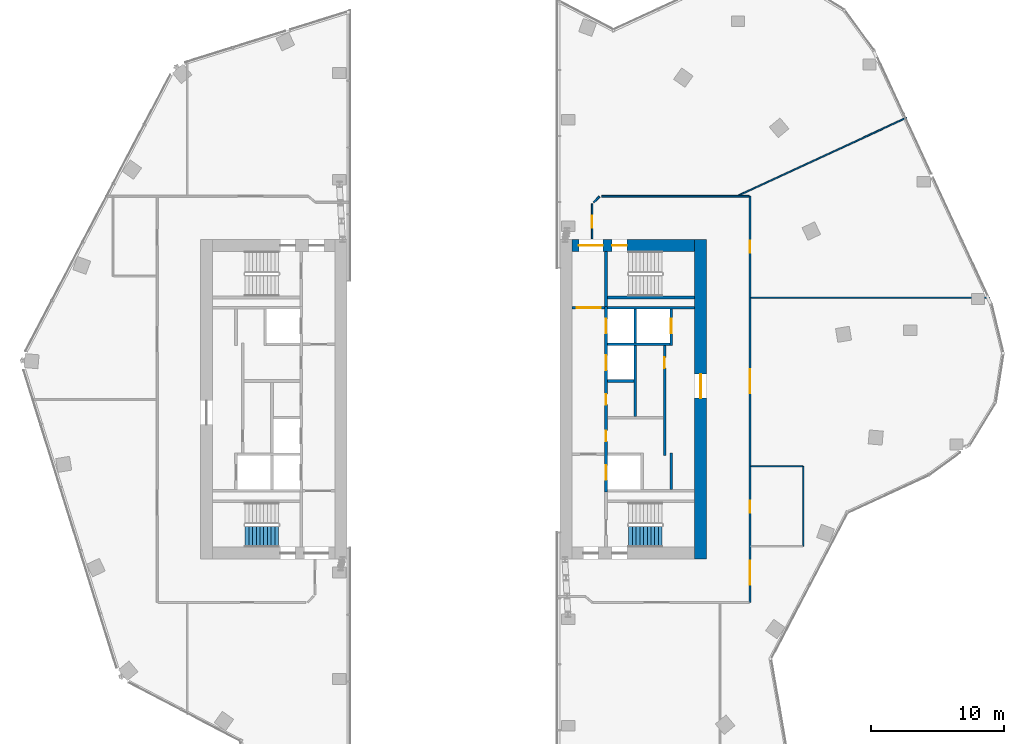
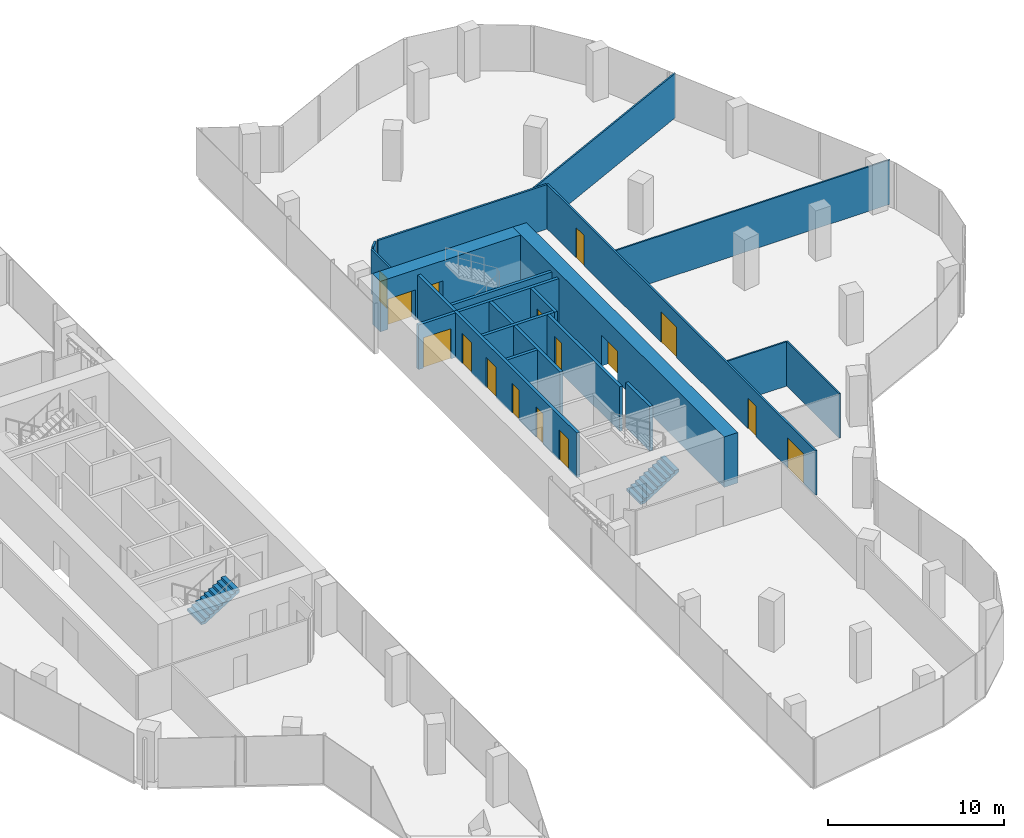
# One storey, part 20 of 23: 22 walls, 16 doors, 2 stair flights, 16 openings, 2 elements without a shape of their own.
"""IFC4 building model written with IfcOpenShell, lengths in metres."""

import ifcopenshell
import ifcopenshell.guid

model = None  # the IFC model being written
_history = None  # IfcOwnerHistory: only IFC2X3 demands one
_inside = {}  # id of a spatial element -> (the spatial element, [elements in it])
_under = {}  # id of a project, library or spatial element -> (it, [spatial elements below it])
_declared = {}  # id of a project -> (the project, [libraries it declares])
_typed = {}  # id of a type object -> (the type object, [elements of that type])
_made_of = {}  # id of a material, layer set ... -> (it, [elements and type objects made of it])


def new_model(schema):
    """Start an empty IFC model of exactly this schema.

    Asked for "IFC4X3", IfcOpenShell would pick the latest addendum, in which some entities
    have other attributes; the version numbers below select the first issue.
    IFC2X3 requires an IfcOwnerHistory on every rooted entity: one is made here for all.
    """
    global model, _history
    if schema == "IFC4X3":
        model = ifcopenshell.file(schema_version=(4, 3, 0, 0))
    else:
        model = ifcopenshell.file(schema=schema)
    _inside.clear()
    _under.clear()
    _declared.clear()
    _typed.clear()
    _made_of.clear()
    _history = None
    if model.schema == "IFC2X3":
        org = make("IfcOrganization", Name="unknown")
        user = make(
            "IfcPersonAndOrganization",
            ThePerson=make("IfcPerson", FamilyName="unknown"),
            TheOrganization=org,
        )
        app = make(
            "IfcApplication",
            ApplicationDeveloper=org,
            Version="unknown",
            ApplicationFullName="unknown",
            ApplicationIdentifier="unknown",
        )
        _history = make(
            "IfcOwnerHistory",
            OwningUser=user,
            OwningApplication=app,
            ChangeAction="ADDED",
            CreationDate=0,
        )
    return model


def make(cls, **values):
    """One entity of the class cls with the attributes given. An attribute that is None is left unset."""
    return model.create_entity(
        cls, **{name: value for name, value in values.items() if value is not None}
    )


def rooted(cls, **values):
    """An entity with a GlobalId (a new one), such as an element, a storey or a relation."""
    return make(cls, GlobalId=ifcopenshell.guid.new(), OwnerHistory=_history, **values)


def si_unit(unit_type, name, prefix=None):
    """IfcSIUnit, for example si_unit("LENGTHUNIT", "METRE", prefix="MILLI")."""
    return make("IfcSIUnit", UnitType=unit_type, Prefix=prefix, Name=name)


def assignment(units):
    """IfcUnitAssignment: the units of a project."""
    return None if units is None else make("IfcUnitAssignment", Units=units)


def point(xyz):
    """IfcCartesianPoint."""
    return None if xyz is None else make("IfcCartesianPoint", Coordinates=xyz)


def direction(xyz):
    """IfcDirection."""
    return None if xyz is None else make("IfcDirection", DirectionRatios=xyz)


def frame(location, z_axis=None, x_axis=None):
    """IfcAxis2Placement3D, a coordinate frame: its origin and axes. An axis left out is left unset."""
    return make(
        "IfcAxis2Placement3D",
        Location=point(location),
        Axis=direction(z_axis),
        RefDirection=direction(x_axis),
    )


def frame_2d(location, x_axis=None):
    """IfcAxis2Placement2D, a coordinate frame in the plane: its origin and x axis."""
    return make(
        "IfcAxis2Placement2D", Location=point(location), RefDirection=direction(x_axis)
    )


def origin():
    """The frame at (0, 0, 0) with its axes left unset."""
    return frame((0.0, 0.0, 0.0))


def place(relative_to, where):
    """IfcLocalPlacement: puts the frame where relative to a parent placement (None: the world)."""
    return make(
        "IfcLocalPlacement", PlacementRelTo=relative_to, RelativePlacement=where
    )


def context(
    kind, dimensions, precision=None, world=None, true_north=None, identifier=None
):
    """IfcGeometricRepresentationContext, for example the 3D "Model" context."""
    return make(
        "IfcGeometricRepresentationContext",
        ContextIdentifier=identifier,
        ContextType=kind,
        CoordinateSpaceDimension=dimensions,
        Precision=precision,
        WorldCoordinateSystem=world,
        TrueNorth=true_north,
    )


def subcontext(parent, identifier, kind, view, scale=None):
    """IfcGeometricRepresentationSubContext, for example "Body" below "Model"."""
    return make(
        "IfcGeometricRepresentationSubContext",
        ContextIdentifier=identifier,
        ContextType=kind,
        ParentContext=parent,
        TargetScale=scale,
        TargetView=view,
    )


def project(units=None, contexts=None):
    """IfcProject with its units and contexts."""
    return rooted(
        "IfcProject",
        Name="project",
        RepresentationContexts=contexts,
        UnitsInContext=assignment(units),
    )


def spatial(cls, under=None, at=None, **own):
    """A site, building, storey or space (cls), placed at a placement, below another one or the project."""
    s = rooted(cls, ObjectPlacement=at, **own)
    if under is not None:
        _under.setdefault(under.id(), (under, []))[1].append(s)
    return s


def polyline(points):
    """IfcPolyline through the points."""
    return make("IfcPolyline", Points=[point(p) for p in points])


def profile(cls, at=None, kind="AREA", **sizes):
    """A parametric profile (cls). Its sizes go by their IFC names, for example OverallWidth=200.0."""
    return make(cls, ProfileType=kind, Position=at, **sizes)


def rectangle(**sizes):
    """IfcRectangleProfileDef."""
    return profile("IfcRectangleProfileDef", **sizes)


def outline(outer, holes=None, kind="AREA"):
    """IfcArbitraryClosedProfileDef: a profile drawn as a closed curve; with holes, ...WithVoids."""
    if holes is None:
        return make("IfcArbitraryClosedProfileDef", ProfileType=kind, OuterCurve=outer)
    return make(
        "IfcArbitraryProfileDefWithVoids",
        ProfileType=kind,
        OuterCurve=outer,
        InnerCurves=holes,
    )


def extrude(swept, where, along, depth):
    """IfcExtrudedAreaSolid: the profile swept, set in the frame where, extruded along a direction by depth."""
    return make(
        "IfcExtrudedAreaSolid",
        SweptArea=swept,
        Position=where,
        ExtrudedDirection=direction(along),
        Depth=depth,
    )


def shape(context_of_items, identifier, shape_type, items):
    """IfcShapeRepresentation: the items that make up one representation, for example the "Body"."""
    return make(
        "IfcShapeRepresentation",
        ContextOfItems=context_of_items,
        RepresentationIdentifier=identifier,
        RepresentationType=shape_type,
        Items=items,
    )


def material(Name=None, Category=None):
    """IfcMaterial."""
    return make("IfcMaterial", Name=Name, Category=Category)


def layer(
    of_material, thickness, ventilated=None, Name=None, Category=None, Priority=None
):
    """IfcMaterialLayer: one layer of a wall or slab, of a material (None: an air gap)."""
    return make(
        "IfcMaterialLayer",
        Material=of_material,
        LayerThickness=thickness,
        IsVentilated=ventilated,
        Name=Name,
        Category=Category,
        Priority=Priority,
    )


def layer_set(layers, Name=None):
    """IfcMaterialLayerSet."""
    return make("IfcMaterialLayerSet", MaterialLayers=layers, LayerSetName=Name)


def made_of(thing, what):
    """Note that an element or type object is made of a material, layer set ...; save() writes the relation."""
    if what is not None:
        _made_of.setdefault(what.id(), (what, []))[1].append(thing)
    return thing


def type_object(cls, material=None, **own):
    """A type object (cls), such as IfcWallType, which elements share."""
    return made_of(rooted(cls, **own), material)


def element(
    cls,
    number,
    at=None,
    inside=None,
    cuts=None,
    type_object=None,
    material=None,
    context=None,
    identifier="Body",
    shape_type=None,
    held_by="IfcProductDefinitionShape",
    body=None,
    shapes=None,
    **own,
):
    """One element of the class cls, such as IfcWall. Its Tag is "e" and its number.

    at: its placement. inside: the storey or other place that contains it. cuts: it is an
    opening in that element (IfcRelVoidsElement). A single representation is given by context,
    identifier, shape_type and body (its items); several are given by shapes. held_by: the class
    of the entity that holds the representations. save() writes the other relations.
    """
    e = rooted(cls, Tag="e%d" % number, ObjectPlacement=at, **own)
    if body is not None:
        shapes = [shape(context, identifier, shape_type, body)]
    if shapes is not None:
        e.Representation = make(held_by, Representations=shapes)
    if inside is not None:
        _inside.setdefault(inside.id(), (inside, []))[1].append(e)
    if cuts is not None:
        rooted(
            "IfcRelVoidsElement", RelatingBuildingElement=cuts, RelatedOpeningElement=e
        )
    if type_object is not None:
        _typed.setdefault(type_object.id(), (type_object, []))[1].append(e)
    return made_of(e, material)


def fill(opening, filler):
    """IfcRelFillsElement: the door or window that sits in an opening."""
    return rooted(
        "IfcRelFillsElement",
        RelatingOpeningElement=opening,
        RelatedBuildingElement=filler,
    )


def aggregate(whole, parts):
    """IfcRelAggregates: a whole, such as a stair, and the parts it consists of."""
    return rooted("IfcRelAggregates", RelatingObject=whole, RelatedObjects=parts)


def save(model, path):
    """Write the relations noted so far, then the file.

    IfcRelAggregates (storeys below a building ...), IfcRelContainedInSpatialStructure (elements
    in a storey), IfcRelDefinesByType, IfcRelAssociatesMaterial and IfcRelDeclares: one each for
    every whole, place, type object, material and project.
    """
    for whole, parts in _under.values():
        aggregate(whole, parts)
    for where, things in _inside.values():
        rooted(
            "IfcRelContainedInSpatialStructure",
            RelatedElements=things,
            RelatingStructure=where,
        )
    for kind, things in _typed.values():
        rooted("IfcRelDefinesByType", RelatedObjects=things, RelatingType=kind)
    for what, things in _made_of.values():
        rooted("IfcRelAssociatesMaterial", RelatedObjects=things, RelatingMaterial=what)
    for by, libraries in _declared.values():
        rooted("IfcRelDeclares", RelatingContext=by, RelatedDefinitions=libraries)
    model.write(path)


model = new_model("IFC4")

# Units and contexts
model_context = context("Model", 3, precision=1e-05, world=origin(), true_north=direction((0.0, 1.0)))
body_context = subcontext(model_context, "Body", "Model", "MODEL_VIEW")
ifc_project = project(units=[si_unit("LENGTHUNIT", "METRE"), si_unit("AREAUNIT", "SQUARE_METRE"), si_unit("VOLUMEUNIT", "CUBIC_METRE"), si_unit("PLANEANGLEUNIT", "RADIAN"), si_unit("MASSUNIT", "GRAM", prefix="KILO")], contexts=[model_context])

# Site, building, storey
site_placement = place(None, origin())
site = spatial("IfcSite", under=ifc_project, at=site_placement, CompositionType="ELEMENT")
building_placement = place(site_placement, origin())
building = spatial("IfcBuilding", under=site, at=building_placement, Name="Orlundy Tower", CompositionType="ELEMENT")
storey_placement = place(building_placement, frame((0.0, 0.0, 264.0)))
storey = spatial("IfcBuildingStorey", under=building, at=storey_placement, Name="L70", CompositionType="ELEMENT", Elevation=264.0)

# Wall, openings, doors
ifc_material_1 = material(Name="Concrete C60/75", Category="concrete")
ifc_layer_1 = layer(ifc_material_1, 0.89990234375)
ifc_layer_set_1 = layer_set([ifc_layer_1], Name="CORE WALL 900 C60/75")
wall_type_1 = type_object("IfcWallType", Name="CORE WALL 900 C60/75", PredefinedType="SHEAR", material=ifc_layer_set_1)
wall_1_placement = place(storey_placement, frame((8.89990234375, 11.550048828125, 0.0), z_axis=(0.0, 0.0, 1.0), x_axis=(1.0, 0.0, 0.0)))
wall_1 = element("IfcWall", 1, at=wall_1_placement, inside=storey, type_object=wall_type_1, Name="Core wall E-N L70", PredefinedType="SHEAR", context=body_context, shape_type="SweptSolid", body=[
    extrude(rectangle(XDim=9.2001953125, YDim=0.89990234375, at=frame_2d((4.60009765625, 0.0))), origin(), (0.0, 0.0, 1.0), 3.5),
])
opening_1_placement = place(wall_1_placement, frame((0.5, 0.0, 0.0)))
opening_1 = element("IfcOpeningElement", 2, at=opening_1_placement, cuts=wall_1, Name="Opening 52061", PredefinedType="OPENING", context=body_context, shape_type="SweptSolid", body=[
    extrude(rectangle(XDim=1.800048828125, YDim=2.10009765625, at=frame_2d((0.89990234375, 1.050048828125))), frame((0.0, 0.4599609375, 0.0), z_axis=(0.0, -1.0, 0.0), x_axis=(1.0, 0.0, 0.0)), (0.0, 0.0, 1.0), 0.919921875),
])
opening_2_placement = place(wall_1_placement, frame((3.0, 0.0, 0.0)))
opening_2 = element("IfcOpeningElement", 3, at=opening_2_placement, cuts=wall_1, Name="Opening 52063", PredefinedType="OPENING", context=body_context, shape_type="SweptSolid", body=[
    extrude(rectangle(XDim=1.10009765625, YDim=2.10009765625, at=frame_2d((0.550048828125, 1.050048828125))), frame((0.0, 0.4599609375, 0.0), z_axis=(0.0, -1.0, 0.0), x_axis=(1.0, 0.0, 0.0)), (0.0, 0.0, 1.0), 0.919921875),
])
ifc_material_2 = material(Name="Timber door set", Category="wood")
door_type_1 = type_object("IfcDoorType", Name="Lobby Door 1800x2100", OperationType="DOUBLE_DOOR_DOUBLE_SWING", PredefinedType="DOOR", material=ifc_material_2)
door_1_placement = place(opening_1_placement, origin())
door_1 = element("IfcDoor", 4, at=door_1_placement, inside=storey, type_object=door_type_1, Name="Passage door 52061", OperationType="SINGLE_SWING_LEFT", OverallHeight=2.10009765625, OverallWidth=1.800048828125, PredefinedType="DOOR", context=body_context, shape_type="SweptSolid", body=[
    extrude(rectangle(XDim=1.800048828125, YDim=2.10009765625, at=frame_2d((0.89990234375, 1.050048828125))), frame((0.0, 0.02490234375, 0.0), z_axis=(0.0, -1.0, 0.0), x_axis=(1.0, 0.0, 0.0)), (0.0, 0.0, 1.0), 0.050048828125),
])
fill(opening_1, door_1)
ifc_material_3 = material(Name="Steel door set", Category="steel")
door_type_2 = type_object("IfcDoorType", Name="Stair Door 1100x2100", OperationType="SINGLE_SWING_LEFT", PredefinedType="DOOR", material=ifc_material_3)
door_2_placement = place(opening_2_placement, origin())
door_2 = element("IfcDoor", 5, at=door_2_placement, inside=storey, type_object=door_type_2, Name="Stair door 52063", OperationType="SINGLE_SWING_LEFT", OverallHeight=2.10009765625, OverallWidth=1.10009765625, PredefinedType="DOOR", context=body_context, shape_type="SweptSolid", body=[
    extrude(rectangle(XDim=1.10009765625, YDim=2.10009765625, at=frame_2d((0.550048828125, 1.050048828125))), frame((0.0, 0.02490234375, 0.0), z_axis=(0.0, -1.0, 0.0), x_axis=(1.0, 0.0, 0.0)), (0.0, 0.0, 1.0), 0.050048828125),
])
fill(opening_2, door_2)

# Wall, opening, door
wall_2_placement = place(storey_placement, frame((18.550048828125, -12.0, 0.0), z_axis=(0.0, 0.0, 1.0), x_axis=(0.0, 1.0, 0.0)))
wall_2 = element("IfcWall", 6, at=wall_2_placement, inside=storey, type_object=wall_type_1, Name="Core wall E-E L70", PredefinedType="SHEAR", context=body_context, shape_type="SweptSolid", body=[
    extrude(rectangle(XDim=24.0, YDim=0.89990234375, at=frame_2d((12.0, 0.0))), origin(), (0.0, 0.0, 1.0), 3.5),
])
opening_3_placement = place(wall_2_placement, frame((12.10009765625, 0.0, 0.0)))
opening_3 = element("IfcOpeningElement", 7, at=opening_3_placement, cuts=wall_2, Name="Opening 52057", PredefinedType="OPENING", context=body_context, shape_type="SweptSolid", body=[
    extrude(rectangle(XDim=1.800048828125, YDim=2.10009765625, at=frame_2d((0.89990234375, 1.050048828125))), frame((0.0, 0.4599609375, 0.0), z_axis=(0.0, -1.0, 0.0), x_axis=(1.0, 0.0, 0.0)), (0.0, 0.0, 1.0), 0.919921875),
])
door_3_placement = place(opening_3_placement, origin())
door_3 = element("IfcDoor", 8, at=door_3_placement, inside=storey, type_object=door_type_1, Name="Lift lobby door 52057", OperationType="SINGLE_SWING_RIGHT", OverallHeight=2.10009765625, OverallWidth=1.800048828125, PredefinedType="DOOR", context=body_context, shape_type="SweptSolid", body=[
    extrude(rectangle(XDim=1.800048828125, YDim=2.10009765625, at=frame_2d((0.89990234375, 1.050048828125))), frame((0.0, 0.02490234375, 0.0), z_axis=(0.0, -1.0, 0.0), x_axis=(1.0, 0.0, 0.0)), (0.0, 0.0, 1.0), 0.050048828125),
])
fill(opening_3, door_3)

# Walls
ifc_material_4 = material(Name="Gypsum board partition")
ifc_layer_2 = layer(ifc_material_4, 0.10009765625)
ifc_layer_set_2 = layer_set([ifc_layer_2], Name="Floor partition 100")
wall_type_2 = type_object("IfcWallType", Name="Floor partition 100", PredefinedType="PARTITIONING", material=ifc_layer_set_2)
wall_3_placement = place(storey_placement, frame((22.31396484375, -5.029052734375, 0.0), z_axis=(0.0, 0.0, 1.0), x_axis=(1.0, 0.0, 0.0)))
element("IfcWall", 9, at=wall_3_placement, inside=storey, type_object=wall_type_2, Name="wall-int-L70-005", PredefinedType="PARTITIONING", context=body_context, shape_type="SweptSolid", body=[
    extrude(rectangle(XDim=3.885009765625, YDim=0.10009765625, at=frame_2d((1.9423828125, 0.0))), origin(), (0.0, 0.0, 1.0), 3.080078125),
])
wall_4_placement = place(storey_placement, frame((22.31396484375, 7.6240234375, 0.0), z_axis=(0.0, 0.0, 1.0), x_axis=(1.0, 0.0, 0.0)))
element("IfcWall", 10, at=wall_4_placement, inside=storey, type_object=wall_type_2, Name="wall-int-L70-007", PredefinedType="PARTITIONING", context=body_context, shape_type="SweptSolid", body=[
    extrude(rectangle(XDim=17.95703125, YDim=0.10009765625, at=frame_2d((8.978515625, 0.0))), origin(), (0.0, 0.0, 1.0), 3.080078125),
])
wall_5_placement = place(storey_placement, frame((21.325927734375, 15.277099609375, 0.0), z_axis=(0.0, 0.0, 1.0), x_axis=(0.907542351842, 0.419960569117, 0.0)))
element("IfcWall", 11, at=wall_5_placement, inside=storey, type_object=wall_type_2, Name="wall-int-L70-012", PredefinedType="PARTITIONING", context=body_context, shape_type="SweptSolid", body=[
    extrude(rectangle(XDim=13.9794921875, YDim=0.10009765625, at=frame_2d((6.98974609375, 0.0))), origin(), (0.0, 0.0, 1.0), 3.080078125),
])
wall_6_placement = place(storey_placement, frame((26.2490234375, -11.030029296875, 0.0), z_axis=(0.0, 0.0, 1.0), x_axis=(0.0, 1.0, 0.0)))
element("IfcWall", 12, at=wall_6_placement, inside=storey, type_object=wall_type_2, Name="wall-int-L70-015", PredefinedType="PARTITIONING", context=body_context, shape_type="SweptSolid", body=[
    extrude(rectangle(XDim=6.0009765625, YDim=0.10009765625, at=frame_2d((3.00048828125, 0.0))), origin(), (0.0, 0.0, 1.0), 3.080078125),
])
ifc_material_5 = material(Name="Gypsum board partition, double layer")
ifc_layer_3 = layer(ifc_material_5, 0.125)
ifc_layer_set_3 = layer_set([ifc_layer_3], Name="Floor partition 125")
wall_type_3 = type_object("IfcWallType", Name="Floor partition 125", PredefinedType="PARTITIONING", material=ifc_layer_set_3)
wall_7_placement = place(storey_placement, frame((11.10693359375, 15.2509765625, 0.0), z_axis=(0.0, 0.0, 1.0), x_axis=(1.0, 0.0, 0.0)))
element("IfcWall", 13, at=wall_7_placement, inside=storey, type_object=wall_type_3, Name="wall-int-L70-011", PredefinedType="PARTITIONING", context=body_context, shape_type="SweptSolid", body=[
    extrude(rectangle(XDim=11.0810546875, YDim=0.125, at=frame_2d((5.54052734375, 0.0))), origin(), (0.0, 0.0, 1.0), 3.080078125),
])
wall_8_placement = place(storey_placement, frame((10.52099609375, 14.7890625, 0.0), z_axis=(0.0, 0.0, 1.0), x_axis=(0.698110320765, 0.715990209459, 0.0)))
element("IfcWall", 14, at=wall_8_placement, inside=storey, type_object=wall_type_3, Name="wall-int-L70-014", PredefinedType="PARTITIONING", context=body_context, shape_type="SweptSolid", body=[
    extrude(rectangle(XDim=0.614501953125, YDim=0.125, at=frame_2d((0.30712890625, 0.0))), origin(), (0.0, 0.0, 1.0), 3.080078125),
])

# Wall, openings, doors
wall_9_placement = place(storey_placement, frame((22.2509765625, 15.25, 0.0), z_axis=(0.0, 0.0, 1.0), x_axis=(0.0, -1.0, 0.0)))
wall_9 = element("IfcWall", 15, at=wall_9_placement, inside=storey, type_object=wall_type_3, Name="wall-int-L70-016", PredefinedType="PARTITIONING", context=body_context, shape_type="SweptSolid", body=[
    extrude(rectangle(XDim=30.5, YDim=0.125, at=frame_2d((15.25, 0.0))), origin(), (0.0, 0.0, 1.0), 3.080078125),
])
opening_4_placement = place(wall_9_placement, frame((27.3798828125, 0.0, 0.0)))
opening_4 = element("IfcOpeningElement", 16, at=opening_4_placement, cuts=wall_9, Name="Opening 52104", PredefinedType="OPENING", context=body_context, shape_type="SweptSolid", body=[
    extrude(rectangle(XDim=1.800048828125, YDim=2.10009765625, at=frame_2d((0.89990234375, 1.050048828125))), frame((0.0, 0.072509765625, 0.0), z_axis=(0.0, -1.0, 0.0), x_axis=(1.0, 0.0, 0.0)), (0.0, 0.0, 1.0), 0.14501953125),
])
opening_5_placement = place(wall_9_placement, frame((12.97607421875, 0.0, 0.0)))
opening_5 = element("IfcOpeningElement", 17, at=opening_5_placement, cuts=wall_9, Name="Opening 52105", PredefinedType="OPENING", context=body_context, shape_type="SweptSolid", body=[
    extrude(rectangle(XDim=1.800048828125, YDim=2.10009765625, at=frame_2d((0.89990234375, 1.050048828125))), frame((0.0, 0.072509765625, 0.0), z_axis=(0.0, -1.0, 0.0), x_axis=(1.0, 0.0, 0.0)), (0.0, 0.0, 1.0), 0.14501953125),
])
opening_6_placement = place(wall_9_placement, frame((3.35009765625, 0.0, 0.0)))
opening_6 = element("IfcOpeningElement", 18, at=opening_6_placement, cuts=wall_9, Name="Opening 52106", PredefinedType="OPENING", context=body_context, shape_type="SweptSolid", body=[
    extrude(rectangle(XDim=0.89990234375, YDim=2.10009765625, at=frame_2d((0.449951171875, 1.050048828125))), frame((0.0, 0.072509765625, 0.0), z_axis=(0.0, -1.0, 0.0), x_axis=(1.0, 0.0, 0.0)), (0.0, 0.0, 1.0), 0.14501953125),
])
opening_7_placement = place(wall_9_placement, frame((22.8798828125, 0.0, 0.0)))
opening_7 = element("IfcOpeningElement", 19, at=opening_7_placement, cuts=wall_9, Name="Opening 52110", PredefinedType="OPENING", context=body_context, shape_type="SweptSolid", body=[
    extrude(rectangle(XDim=0.89990234375, YDim=2.10009765625, at=frame_2d((0.449951171875, 1.050048828125))), frame((0.0, 0.072509765625, 0.0), z_axis=(0.0, -1.0, 0.0), x_axis=(1.0, 0.0, 0.0)), (0.0, 0.0, 1.0), 0.14501953125),
])
ifc_material_6 = material(Name="Timber door leaf", Category="wood")
door_type_3 = type_object("IfcDoorType", Name="Floor door double 1800 FD30S", OperationType="NOTDEFINED", PredefinedType="DOOR", material=ifc_material_6)
door_4_placement = place(opening_4_placement, origin())
door_4 = element("IfcDoor", 20, at=door_4_placement, inside=storey, type_object=door_type_3, Name="Door 52104", OperationType="DOUBLE_DOOR_SINGLE_SWING", OverallHeight=2.10009765625, OverallWidth=1.800048828125, PredefinedType="DOOR", context=body_context, shape_type="SweptSolid", body=[
    extrude(rectangle(XDim=1.800048828125, YDim=2.10009765625, at=frame_2d((0.89990234375, 1.050048828125))), frame((0.0, 0.02490234375, 0.0), z_axis=(0.0, -1.0, 0.0), x_axis=(1.0, 0.0, 0.0)), (0.0, 0.0, 1.0), 0.050048828125),
])
fill(opening_4, door_4)
door_5_placement = place(opening_5_placement, origin())
door_5 = element("IfcDoor", 21, at=door_5_placement, inside=storey, type_object=door_type_3, Name="Door 52105", OperationType="DOUBLE_DOOR_SINGLE_SWING", OverallHeight=2.10009765625, OverallWidth=1.800048828125, PredefinedType="DOOR", context=body_context, shape_type="SweptSolid", body=[
    extrude(rectangle(XDim=1.800048828125, YDim=2.10009765625, at=frame_2d((0.89990234375, 1.050048828125))), frame((0.0, 0.02490234375, 0.0), z_axis=(0.0, -1.0, 0.0), x_axis=(1.0, 0.0, 0.0)), (0.0, 0.0, 1.0), 0.050048828125),
])
fill(opening_5, door_5)
ifc_material_7 = material(Name="Timber door leaf", Category="wood")
door_type_4 = type_object("IfcDoorType", Name="Floor door single 900 FD30S", OperationType="NOTDEFINED", PredefinedType="DOOR", material=ifc_material_7)
door_6_placement = place(opening_6_placement, origin())
door_6 = element("IfcDoor", 22, at=door_6_placement, inside=storey, type_object=door_type_4, Name="Door 52106", OperationType="SINGLE_SWING_LEFT", OverallHeight=2.10009765625, OverallWidth=0.89990234375, PredefinedType="DOOR", context=body_context, shape_type="SweptSolid", body=[
    extrude(rectangle(XDim=0.89990234375, YDim=2.10009765625, at=frame_2d((0.449951171875, 1.050048828125))), frame((0.0, 0.02490234375, 0.0), z_axis=(0.0, -1.0, 0.0), x_axis=(1.0, 0.0, 0.0)), (0.0, 0.0, 1.0), 0.050048828125),
])
fill(opening_6, door_6)
door_7_placement = place(opening_7_placement, origin())
door_7 = element("IfcDoor", 23, at=door_7_placement, inside=storey, type_object=door_type_4, Name="Door 52110", OperationType="SINGLE_SWING_RIGHT", OverallHeight=2.10009765625, OverallWidth=0.89990234375, PredefinedType="DOOR", context=body_context, shape_type="SweptSolid", body=[
    extrude(rectangle(XDim=0.89990234375, YDim=2.10009765625, at=frame_2d((0.449951171875, 1.050048828125))), frame((0.0, 0.02490234375, 0.0), z_axis=(0.0, -1.0, 0.0), x_axis=(1.0, 0.0, 0.0)), (0.0, 0.0, 1.0), 0.050048828125),
])
fill(opening_7, door_7)

# Wall, opening, door
wall_10_placement = place(storey_placement, frame((10.39990234375, 12.050048828125, 0.0), z_axis=(0.0, 0.0, 1.0), x_axis=(0.0, 1.0, 0.0)))
wall_10 = element("IfcWall", 24, at=wall_10_placement, inside=storey, type_object=wall_type_3, Name="wall-int-L70-019", PredefinedType="PARTITIONING", context=body_context, shape_type="SweptSolid", body=[
    extrude(rectangle(XDim=2.619873046875, YDim=0.125, at=frame_2d((1.31005859375, 0.0))), origin(), (0.0, 0.0, 1.0), 3.080078125),
])
opening_8_placement = place(wall_10_placement, frame((0.85009765625, 0.0, 0.0)))
opening_8 = element("IfcOpeningElement", 25, at=opening_8_placement, cuts=wall_10, Name="Opening 52107", PredefinedType="OPENING", context=body_context, shape_type="SweptSolid", body=[
    extrude(rectangle(XDim=0.89990234375, YDim=2.10009765625, at=frame_2d((0.449951171875, 1.050048828125))), frame((0.0, 0.072509765625, 0.0), z_axis=(0.0, -1.0, 0.0), x_axis=(1.0, 0.0, 0.0)), (0.0, 0.0, 1.0), 0.14501953125),
])
door_8_placement = place(opening_8_placement, origin())
door_8 = element("IfcDoor", 26, at=door_8_placement, inside=storey, type_object=door_type_4, Name="Door 52107", OperationType="SINGLE_SWING_LEFT", OverallHeight=2.10009765625, OverallWidth=0.89990234375, PredefinedType="DOOR", context=body_context, shape_type="SweptSolid", body=[
    extrude(rectangle(XDim=0.89990234375, YDim=2.10009765625, at=frame_2d((0.449951171875, 1.050048828125))), frame((0.0, 0.02490234375, 0.0), z_axis=(0.0, -1.0, 0.0), x_axis=(1.0, 0.0, 0.0)), (0.0, 0.0, 1.0), 0.050048828125),
])
fill(opening_8, door_8)

# Walls
ifc_material_8 = material(Name="Concrete C40/50", Category="concrete")
ifc_layer_4 = layer(ifc_material_8, 0.199951171875)
ifc_layer_set_4 = layer_set([ifc_layer_4], Name="Load-bearing Shaft Wall 200")
wall_type_4 = type_object("IfcWallType", Name="Load-bearing Shaft Wall 200", PredefinedType="SOLIDWALL", material=ifc_layer_set_4)
wall_11_placement = place(storey_placement, frame((11.43994140625, 11.10009765625, 0.0), z_axis=(0.0, 0.0, 1.0), x_axis=(0.0, -1.0, 0.0)))
element("IfcWall", 27, at=wall_11_placement, inside=storey, type_object=wall_type_4, Name="Shaft wall E52-stair-end-s", PredefinedType="SOLIDWALL", context=body_context, shape_type="SweptSolid", body=[
    extrude(rectangle(XDim=4.125, YDim=0.199951171875, at=frame_2d((2.0625, 0.0))), origin(), (0.0, 0.0, 1.0), 3.090087890625),
])
wall_12_placement = place(storey_placement, frame((11.5400390625, 7.64990234375, 0.0), z_axis=(0.0, 0.0, 1.0), x_axis=(1.0, 0.0, 0.0)))
element("IfcWall", 28, at=wall_12_placement, inside=storey, type_object=wall_type_4, Name="Shaft wall E52-stair-side-s", PredefinedType="SOLIDWALL", context=body_context, shape_type="SweptSolid", body=[
    extrude(rectangle(XDim=6.56005859375, YDim=0.199951171875, at=frame_2d((3.280029296875, 0.0))), origin(), (0.0, 0.0, 1.0), 3.090087890625),
])

# Wall, opening, door
ifc_material_9 = material(Name="Gypsum board partition on steel studs", Category="steel")
ifc_layer_5 = layer(ifc_material_9, 0.199951171875)
ifc_layer_set_5 = layer_set([ifc_layer_5], Name="Partition 200")
wall_type_5 = type_object("IfcWallType", Name="Partition 200", PredefinedType="PARTITIONING", material=ifc_layer_set_5)
wall_13_placement = place(storey_placement, frame((8.89990234375, 6.875, 0.0), z_axis=(0.0, 0.0, 1.0), x_axis=(1.0, 0.0, 0.0)))
wall_13 = element("IfcWall", 29, at=wall_13_placement, inside=storey, type_object=wall_type_5, Name="Partition wall E52-end-s", PredefinedType="PARTITIONING", context=body_context, shape_type="SweptSolid", body=[
    extrude(rectangle(XDim=2.440185546875, YDim=0.199951171875, at=frame_2d((1.22021484375, 0.0))), origin(), (0.0, 0.0, 1.0), 3.090087890625),
])
opening_9_placement = place(wall_13_placement, frame((0.35009765625, 0.0, 0.0)))
opening_9 = element("IfcOpeningElement", 30, at=opening_9_placement, cuts=wall_13, Name="Opening 52060", PredefinedType="OPENING", context=body_context, shape_type="SweptSolid", body=[
    extrude(rectangle(XDim=1.800048828125, YDim=2.10009765625, at=frame_2d((0.89990234375, 1.050048828125))), frame((0.0, 0.110107421875, 0.0), z_axis=(0.0, -1.0, 0.0), x_axis=(1.0, 0.0, 0.0)), (0.0, 0.0, 1.0), 0.22021484375),
])
door_9_placement = place(opening_9_placement, origin())
door_9 = element("IfcDoor", 31, at=door_9_placement, inside=storey, type_object=door_type_1, Name="Lift lobby to passage door 52060", OperationType="DOUBLE_DOOR_DOUBLE_SWING", OverallHeight=2.10009765625, OverallWidth=1.800048828125, PredefinedType="DOOR", context=body_context, shape_type="SweptSolid", body=[
    extrude(rectangle(XDim=1.800048828125, YDim=2.10009765625, at=frame_2d((0.89990234375, 1.050048828125))), frame((0.0, 0.02490234375, 0.0), z_axis=(0.0, -1.0, 0.0), x_axis=(1.0, 0.0, 0.0)), (0.0, 0.0, 1.0), 0.050048828125),
])
fill(opening_9, door_9)

# Walls
ifc_material_10 = material(Name="Fire-rated blockwork shaft wall", Category="masonry")
ifc_layer_6 = layer(ifc_material_10, 0.199951171875)
ifc_layer_set_6 = layer_set([ifc_layer_6], Name="Shaft Wall 200")
wall_type_6 = type_object("IfcWallType", Name="Shaft Wall 200", PredefinedType="SOLIDWALL", material=ifc_layer_set_6)
wall_14_placement = place(storey_placement, frame((11.5400390625, 6.875, 0.0), z_axis=(0.0, 0.0, 1.0), x_axis=(1.0, 0.0, 0.0)))
element("IfcWall", 32, at=wall_14_placement, inside=storey, type_object=wall_type_6, Name="Shaft wall E52-zone-s", PredefinedType="SOLIDWALL", context=body_context, shape_type="SweptSolid", body=[
    extrude(rectangle(XDim=6.56005859375, YDim=0.199951171875, at=frame_2d((3.280029296875, 0.0))), origin(), (0.0, 0.0, 1.0), 3.090087890625),
])
wall_15_placement = place(storey_placement, frame((11.5400390625, 4.125, 0.0), z_axis=(0.0, 0.0, 1.0), x_axis=(1.0, 0.0, 0.0)))
element("IfcWall", 33, at=wall_15_placement, inside=storey, type_object=wall_type_6, Name="Shaft wall E52-cross-4.125", PredefinedType="SOLIDWALL", context=body_context, shape_type="SweptSolid", body=[
    extrude(rectangle(XDim=4.699951171875, YDim=0.199951171875, at=frame_2d((2.35009765625, 0.0))), origin(), (0.0, 0.0, 1.0), 3.090087890625),
])
wall_16_placement = place(storey_placement, frame((11.5400390625, 1.375, 0.0), z_axis=(0.0, 0.0, 1.0), x_axis=(1.0, 0.0, 0.0)))
element("IfcWall", 34, at=wall_16_placement, inside=storey, type_object=wall_type_6, Name="Shaft wall E52-cross-1.375", PredefinedType="SOLIDWALL", context=body_context, shape_type="SweptSolid", body=[
    extrude(rectangle(XDim=2.0, YDim=0.199951171875, at=frame_2d((1.0, 0.0))), origin(), (0.0, 0.0, 1.0), 3.090087890625),
])

# Wall, openings, doors
wall_17_placement = place(storey_placement, frame((11.43994140625, 6.97509765625, 0.0), z_axis=(0.0, 0.0, 1.0), x_axis=(0.0, -1.0, 0.0)))
wall_17 = element("IfcWall", 35, at=wall_17_placement, inside=storey, type_object=wall_type_6, Name="Shaft wall E52-front-h", PredefinedType="SOLIDWALL", context=body_context, shape_type="SweptSolid", body=[
    extrude(rectangle(XDim=13.9501953125, YDim=0.199951171875, at=frame_2d((6.97509765625, 0.0))), origin(), (0.0, 0.0, 1.0), 3.090087890625),
])
opening_10_placement = place(wall_17_placement, frame((0.925048828125, 0.0, 0.0)))
opening_10 = element("IfcOpeningElement", 36, at=opening_10_placement, cuts=wall_17, Name="Opening 52050", PredefinedType="OPENING", context=body_context, shape_type="SweptSolid", body=[
    extrude(rectangle(XDim=1.10009765625, YDim=2.10009765625, at=frame_2d((0.550048828125, 1.050048828125))), frame((0.0, 0.110107421875, 0.0), z_axis=(0.0, -1.0, 0.0), x_axis=(1.0, 0.0, 0.0)), (0.0, 0.0, 1.0), 0.22021484375),
])
opening_11_placement = place(wall_17_placement, frame((3.675048828125, 0.0, 0.0)))
opening_11 = element("IfcOpeningElement", 37, at=opening_11_placement, cuts=wall_17, Name="Opening 52052", PredefinedType="OPENING", context=body_context, shape_type="SweptSolid", body=[
    extrude(rectangle(XDim=1.10009765625, YDim=2.10009765625, at=frame_2d((0.550048828125, 1.050048828125))), frame((0.0, 0.110107421875, 0.0), z_axis=(0.0, -1.0, 0.0), x_axis=(1.0, 0.0, 0.0)), (0.0, 0.0, 1.0), 0.22021484375),
])
opening_12_placement = place(wall_17_placement, frame((11.925048828125, 0.0, 0.0)))
opening_12 = element("IfcOpeningElement", 38, at=opening_12_placement, cuts=wall_17, Name="Opening 52053", PredefinedType="OPENING", context=body_context, shape_type="SweptSolid", body=[
    extrude(rectangle(XDim=1.10009765625, YDim=2.10009765625, at=frame_2d((0.550048828125, 1.050048828125))), frame((0.0, 0.110107421875, 0.0), z_axis=(0.0, -1.0, 0.0), x_axis=(1.0, 0.0, 0.0)), (0.0, 0.0, 1.0), 0.22021484375),
])
opening_13_placement = place(wall_17_placement, frame((6.574951171875, 0.0, 0.0)))
opening_13 = element("IfcOpeningElement", 39, at=opening_13_placement, cuts=wall_17, Name="Opening 52055", PredefinedType="OPENING", context=body_context, shape_type="SweptSolid", body=[
    extrude(rectangle(XDim=0.800048828125, YDim=2.10009765625, at=frame_2d((0.39990234375, 1.050048828125))), frame((0.0, 0.110107421875, 0.0), z_axis=(0.0, -1.0, 0.0), x_axis=(1.0, 0.0, 0.0)), (0.0, 0.0, 1.0), 0.22021484375),
])
opening_14_placement = place(wall_17_placement, frame((9.324951171875, 0.0, 0.0)))
opening_14 = element("IfcOpeningElement", 40, at=opening_14_placement, cuts=wall_17, Name="Opening 52056", PredefinedType="OPENING", context=body_context, shape_type="SweptSolid", body=[
    extrude(rectangle(XDim=0.800048828125, YDim=2.10009765625, at=frame_2d((0.39990234375, 1.050048828125))), frame((0.0, 0.110107421875, 0.0), z_axis=(0.0, -1.0, 0.0), x_axis=(1.0, 0.0, 0.0)), (0.0, 0.0, 1.0), 0.22021484375),
])
ifc_material_11 = material(Name="Steel door set", Category="steel")
door_type_5 = type_object("IfcDoorType", Name="Landing Door 1100x2100", OperationType="DOUBLE_DOOR_SLIDING", PredefinedType="DOOR", material=ifc_material_11)
door_10_placement = place(opening_10_placement, origin())
door_10 = element("IfcDoor", 41, at=door_10_placement, inside=storey, type_object=door_type_5, Name="Lift landing door LP-24 52050", OperationType="DOUBLE_DOOR_SLIDING", OverallHeight=2.10009765625, OverallWidth=1.10009765625, PredefinedType="DOOR", context=body_context, shape_type="SweptSolid", body=[
    extrude(rectangle(XDim=1.10009765625, YDim=2.10009765625, at=frame_2d((0.550048828125, 1.050048828125))), frame((0.0, 0.02490234375, 0.0), z_axis=(0.0, -1.0, 0.0), x_axis=(1.0, 0.0, 0.0)), (0.0, 0.0, 1.0), 0.050048828125),
])
fill(opening_10, door_10)
door_11_placement = place(opening_11_placement, origin())
door_11 = element("IfcDoor", 42, at=door_11_placement, inside=storey, type_object=door_type_5, Name="Lift landing door LP-23 52052", OperationType="DOUBLE_DOOR_SLIDING", OverallHeight=2.10009765625, OverallWidth=1.10009765625, PredefinedType="DOOR", context=body_context, shape_type="SweptSolid", body=[
    extrude(rectangle(XDim=1.10009765625, YDim=2.10009765625, at=frame_2d((0.550048828125, 1.050048828125))), frame((0.0, 0.02490234375, 0.0), z_axis=(0.0, -1.0, 0.0), x_axis=(1.0, 0.0, 0.0)), (0.0, 0.0, 1.0), 0.050048828125),
])
fill(opening_11, door_11)
door_12_placement = place(opening_12_placement, origin())
door_12 = element("IfcDoor", 43, at=door_12_placement, inside=storey, type_object=door_type_5, Name="Lift landing door FL2 52053", OperationType="DOUBLE_DOOR_SLIDING", OverallHeight=2.10009765625, OverallWidth=1.10009765625, PredefinedType="DOOR", context=body_context, shape_type="SweptSolid", body=[
    extrude(rectangle(XDim=1.10009765625, YDim=2.10009765625, at=frame_2d((0.550048828125, 1.050048828125))), frame((0.0, 0.02490234375, 0.0), z_axis=(0.0, -1.0, 0.0), x_axis=(1.0, 0.0, 0.0)), (0.0, 0.0, 1.0), 0.050048828125),
])
fill(opening_12, door_12)
ifc_material_12 = material(Name="Timber door set", Category="wood")
door_type_6 = type_object("IfcDoorType", Name="Riser Door 800x2100", OperationType="SINGLE_SWING_LEFT", PredefinedType="DOOR", material=ifc_material_12)
door_13_placement = place(opening_13_placement, origin())
door_13 = element("IfcDoor", 44, at=door_13_placement, inside=storey, type_object=door_type_6, Name="Coat Store door 52055", OperationType="SINGLE_SWING_LEFT", OverallHeight=2.10009765625, OverallWidth=0.800048828125, PredefinedType="DOOR", context=body_context, shape_type="SweptSolid", body=[
    extrude(rectangle(XDim=0.800048828125, YDim=2.10009765625, at=frame_2d((0.39990234375, 1.050048828125))), frame((0.0, 0.02490234375, 0.0), z_axis=(0.0, -1.0, 0.0), x_axis=(1.0, 0.0, 0.0)), (0.0, 0.0, 1.0), 0.050048828125),
])
fill(opening_13, door_13)
door_14_placement = place(opening_14_placement, origin())
door_14 = element("IfcDoor", 45, at=door_14_placement, inside=storey, type_object=door_type_6, Name="Parcel Store door 52056", OperationType="SINGLE_SWING_LEFT", OverallHeight=2.10009765625, OverallWidth=0.800048828125, PredefinedType="DOOR", context=body_context, shape_type="SweptSolid", body=[
    extrude(rectangle(XDim=0.800048828125, YDim=2.10009765625, at=frame_2d((0.39990234375, 1.050048828125))), frame((0.0, 0.02490234375, 0.0), z_axis=(0.0, -1.0, 0.0), x_axis=(1.0, 0.0, 0.0)), (0.0, 0.0, 1.0), 0.050048828125),
])
fill(opening_14, door_14)

# Walls
wall_18_placement = place(storey_placement, frame((13.639892578125, 6.77490234375, 0.0), z_axis=(0.0, 0.0, 1.0), x_axis=(0.0, -1.0, 0.0)))
element("IfcWall", 46, at=wall_18_placement, inside=storey, type_object=wall_type_6, Name="Shaft wall E52-mid-a", PredefinedType="SOLIDWALL", context=body_context, shape_type="SweptSolid", body=[
    extrude(rectangle(XDim=2.5498046875, YDim=0.199951171875, at=frame_2d((1.27490234375, 0.0))), origin(), (0.0, 0.0, 1.0), 3.090087890625),
])
wall_19_placement = place(storey_placement, frame((13.639892578125, 4.02490234375, 0.0), z_axis=(0.0, 0.0, 1.0), x_axis=(0.0, -1.0, 0.0)))
element("IfcWall", 47, at=wall_19_placement, inside=storey, type_object=wall_type_6, Name="Shaft wall E52-mid-a.1", PredefinedType="SOLIDWALL", context=body_context, shape_type="SweptSolid", body=[
    extrude(rectangle(XDim=5.2998046875, YDim=0.199951171875, at=frame_2d((2.64990234375, 0.0))), origin(), (0.0, 0.0, 1.0), 3.090087890625),
])

# Wall, opening, door
wall_20_placement = place(storey_placement, frame((16.340087890625, 6.77490234375, 0.0), z_axis=(0.0, 0.0, 1.0), x_axis=(0.0, -1.0, 0.0)))
wall_20 = element("IfcWall", 48, at=wall_20_placement, inside=storey, type_object=wall_type_6, Name="Shaft wall E52-front-o-a", PredefinedType="SOLIDWALL", context=body_context, shape_type="SweptSolid", body=[
    extrude(rectangle(XDim=2.75, YDim=0.199951171875, at=frame_2d((1.375, 0.0))), origin(), (0.0, 0.0, 1.0), 3.090087890625),
])
opening_15_placement = place(wall_20_placement, frame((0.72509765625, 0.0, 0.0)))
opening_15 = element("IfcOpeningElement", 49, at=opening_15_placement, cuts=wall_20, Name="Opening 52051", PredefinedType="OPENING", context=body_context, shape_type="SweptSolid", body=[
    extrude(rectangle(XDim=1.10009765625, YDim=2.10009765625, at=frame_2d((0.550048828125, 1.050048828125))), frame((0.0, 0.110107421875, 0.0), z_axis=(0.0, -1.0, 0.0), x_axis=(1.0, 0.0, 0.0)), (0.0, 0.0, 1.0), 0.22021484375),
])
door_15_placement = place(opening_15_placement, origin())
door_15 = element("IfcDoor", 50, at=door_15_placement, inside=storey, type_object=door_type_5, Name="Lift landing door LV-02 52051", OperationType="DOUBLE_DOOR_SLIDING", OverallHeight=2.10009765625, OverallWidth=1.10009765625, PredefinedType="DOOR", context=body_context, shape_type="SweptSolid", body=[
    extrude(rectangle(XDim=1.10009765625, YDim=2.10009765625, at=frame_2d((0.550048828125, 1.050048828125))), frame((0.0, 0.02490234375, 0.0), z_axis=(0.0, -1.0, 0.0), x_axis=(1.0, 0.0, 0.0)), (0.0, 0.0, 1.0), 0.050048828125),
])
fill(opening_15, door_15)

wall_21_placement = place(storey_placement, frame((15.840087890625, 4.02490234375, 0.0), z_axis=(0.0, 0.0, 1.0), x_axis=(0.0, -1.0, 0.0)))
wall_21 = element("IfcWall", 51, at=wall_21_placement, inside=storey, type_object=wall_type_6, Name="Shaft wall E52-front-o-b", PredefinedType="SOLIDWALL", context=body_context, shape_type="SweptSolid", body=[
    extrude(rectangle(XDim=8.25, YDim=0.199951171875, at=frame_2d((4.125, 0.0))), origin(), (0.0, 0.0, 1.0), 3.090087890625),
])
opening_16_placement = place(wall_21_placement, frame((0.875, 0.0, 0.0)))
opening_16 = element("IfcOpeningElement", 52, at=opening_16_placement, cuts=wall_21, Name="Opening 52054", PredefinedType="OPENING", context=body_context, shape_type="SweptSolid", body=[
    extrude(rectangle(XDim=0.800048828125, YDim=2.10009765625, at=frame_2d((0.39990234375, 1.050048828125))), frame((0.0, 0.110107421875, 0.0), z_axis=(0.0, -1.0, 0.0), x_axis=(1.0, 0.0, 0.0)), (0.0, 0.0, 1.0), 0.22021484375),
])
door_16_placement = place(opening_16_placement, origin())
door_16 = element("IfcDoor", 53, at=door_16_placement, inside=storey, type_object=door_type_6, Name="Printer Paper Store door 52054", OperationType="SINGLE_SWING_LEFT", OverallHeight=2.10009765625, OverallWidth=0.800048828125, PredefinedType="DOOR", context=body_context, shape_type="SweptSolid", body=[
    extrude(rectangle(XDim=0.800048828125, YDim=2.10009765625, at=frame_2d((0.39990234375, 1.050048828125))), frame((0.0, 0.02490234375, 0.0), z_axis=(0.0, -1.0, 0.0), x_axis=(1.0, 0.0, 0.0)), (0.0, 0.0, 1.0), 0.050048828125),
])
fill(opening_16, door_16)

# Wall
wall_22_placement = place(storey_placement, frame((16.340087890625, -4.02490234375, 0.0), z_axis=(0.0, 0.0, 1.0), x_axis=(0.0, -1.0, 0.0)))
element("IfcWall", 54, at=wall_22_placement, inside=storey, type_object=wall_type_6, Name="Shaft wall E52-front-o-c", PredefinedType="SOLIDWALL", context=body_context, shape_type="SweptSolid", body=[
    extrude(rectangle(XDim=2.75, YDim=0.199951171875, at=frame_2d((1.375, 0.0))), origin(), (0.0, 0.0, 1.0), 3.090087890625),
])

# Stair, stair flight
ifc_material_13 = material(Name="Concrete C50/60", Category="concrete")
stair_type = type_object("IfcStairType", Name="Exit Stair 20 risers", PredefinedType="HALF_TURN_STAIR", material=ifc_material_13)
stair_1_placement = place(storey_placement, origin())
stair_1 = element("IfcStair", 55, at=stair_1_placement, inside=storey, type_object=stair_type, Name="L70 Exit Stair ST-W2", PredefinedType="HALF_TURN_STAIR")
ifc_material_14 = material(Name="Concrete C50/60", Category="concrete")
stair_flight_type = type_object("IfcStairFlightType", Name="Stair Flight 10 risers", PredefinedType="STRAIGHT", material=ifc_material_14)
stair_flight_1_placement = place(storey_placement, frame((-15.659912109375, -10.300048828125, 1.75), z_axis=(0.0, 0.0, 1.0), x_axis=(1.0, 0.0, 0.0)))
stair_flight_1 = element("IfcStairFlight", 56, at=stair_flight_1_placement, type_object=stair_flight_type, Name="ST-W2 flight 2", NumberOfRisers=10, NumberOfTreads=9, PredefinedType="STRAIGHT", RiserHeight=0.175, TreadLength=0.28, context=body_context, shape_type="SweptSolid", body=[
    extrude(outline(polyline([(0.0, 0.0), (0.0, 0.175048828125), (0.280029296875, 0.175048828125), (0.280029296875, 0.35009765625), (0.56005859375, 0.35009765625), (0.56005859375, 0.52490234375), (0.840087890625, 0.52490234375), (0.840087890625, 0.699951171875), (1.1201171875, 0.699951171875), (1.1201171875, 0.875), (1.39990234375, 0.875), (1.39990234375, 1.050048828125), (1.679931640625, 1.050048828125), (1.679931640625, 1.22509765625), (1.9599609375, 1.22509765625), (1.9599609375, 1.39990234375), (2.239990234375, 1.39990234375), (2.239990234375, 1.574951171875), (2.52001953125, 1.574951171875), (2.52001953125, 1.75), (2.52001953125, 1.398193359375), (0.28271484375, 0.0), (0.0, 0.0)])), frame((0.0, 0.800048828125, 0.0), z_axis=(0.0, -1.0, 0.0), x_axis=(1.0, 0.0, 0.0)), (0.0, 0.0, 1.0), 1.60009765625),
])
aggregate(stair_1, [stair_flight_1])

stair_2_placement = place(storey_placement, origin())
stair_2 = element("IfcStair", 57, at=stair_2_placement, inside=storey, type_object=stair_type, Name="L70 Exit Stair ST-E1", PredefinedType="HALF_TURN_STAIR")
stair_flight_2_placement = place(storey_placement, frame((13.139892578125, -10.300048828125, 0.0), z_axis=(0.0, 0.0, 1.0), x_axis=(1.0, 0.0, 0.0)))
stair_flight_2 = element("IfcStairFlight", 58, at=stair_flight_2_placement, type_object=stair_flight_type, Name="ST-E1 flight 1", NumberOfRisers=10, NumberOfTreads=9, PredefinedType="STRAIGHT", RiserHeight=0.175, TreadLength=0.28, context=body_context, shape_type="SweptSolid", body=[
    extrude(outline(polyline([(0.0, 0.0), (0.0, 0.175048828125), (0.280029296875, 0.175048828125), (0.280029296875, 0.35009765625), (0.56005859375, 0.35009765625), (0.56005859375, 0.52490234375), (0.840087890625, 0.52490234375), (0.840087890625, 0.699951171875), (1.1201171875, 0.699951171875), (1.1201171875, 0.875), (1.39990234375, 0.875), (1.39990234375, 1.050048828125), (1.679931640625, 1.050048828125), (1.679931640625, 1.22509765625), (1.9599609375, 1.22509765625), (1.9599609375, 1.39990234375), (2.239990234375, 1.39990234375), (2.239990234375, 1.574951171875), (2.52001953125, 1.574951171875), (2.52001953125, 1.75), (2.52001953125, 1.398193359375), (0.28271484375, 0.0), (0.0, 0.0)])), frame((0.0, 0.800048828125, 0.0), z_axis=(0.0, -1.0, 0.0), x_axis=(1.0, 0.0, 0.0)), (0.0, 0.0, 1.0), 1.60009765625),
])
aggregate(stair_2, [stair_flight_2])

save(model, "model.ifc")
